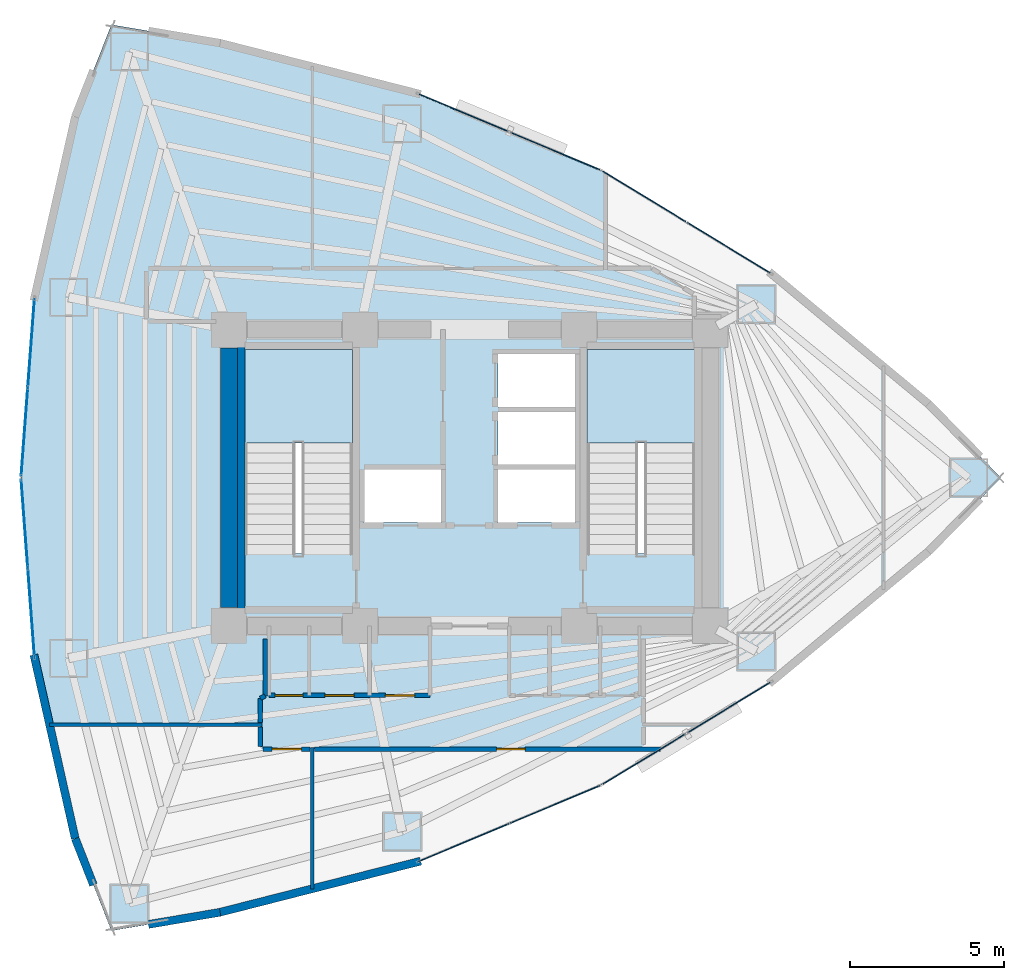
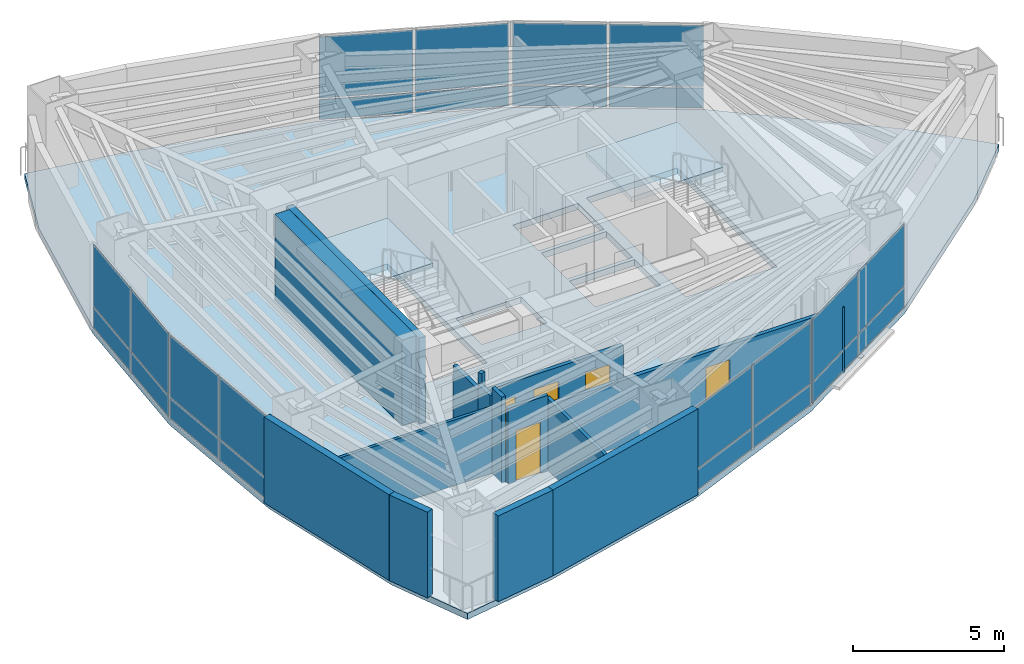
# One storey, part 14 of 18: 24 plates, 15 walls, 5 doors, 3 slabs, 5 openings, 8 elements without a shape of their own.
"""IFC4 building model written with IfcOpenShell, lengths in metres."""

from ifc_helpers import new_model, si_unit, direction, frame, frame_2d, origin, origin_2d, place, context, subcontext, project, spatial, polyline, rectangle, outline, extrude, material, layer, layer_set, type_object, element, fill, aggregate, save


model = new_model("IFC4")

# Units and contexts
model_context = context("Model", 3, precision=1e-05, world=origin(), true_north=direction((0.0, 1.0)))
body_context = subcontext(model_context, "Body", "Model", "MODEL_VIEW")
ifc_project = project(units=[si_unit("LENGTHUNIT", "METRE"), si_unit("AREAUNIT", "SQUARE_METRE"), si_unit("VOLUMEUNIT", "CUBIC_METRE"), si_unit("PLANEANGLEUNIT", "RADIAN"), si_unit("MASSUNIT", "GRAM", prefix="KILO")], contexts=[model_context])

# Site, building, storey
site_placement = place(None, origin())
site = spatial("IfcSite", under=ifc_project, at=site_placement, CompositionType="ELEMENT")
building_placement = place(site_placement, origin())
building = spatial("IfcBuilding", under=site, at=building_placement, Name="Menara Vayukalpa", CompositionType="ELEMENT")
storey_placement = place(building_placement, frame((0.0, 0.0, 130.02001953125)))
storey = spatial("IfcBuildingStorey", under=building, at=storey_placement, Name="L32", CompositionType="ELEMENT", Elevation=130.02001953125)

# Curtain wall, plates
ifc_material_1 = material(Name="Anodised Terracotta Aluminium Alloy 6063-T6", Category="masonry")
ifc_layer_1 = layer(ifc_material_1, 0.14990234375)
ifc_layer_set_1 = layer_set([ifc_layer_1], Name="Anodised Terracotta Aluminium Alloy 6063-T6")
curtain_wall_type = type_object("IfcCurtainWallType", Name="CW-CW3", PredefinedType="USERDEFINED", material=ifc_layer_set_1)
curtain_wall_1_placement = place(storey_placement, origin())
curtain_wall_1 = element("IfcCurtainWall", 1, at=curtain_wall_1_placement, inside=storey, type_object=curtain_wall_type, Name="L32 Mid Rise Terracotta Ribbon Curtain Wall CW3 04", ObjectType="UNITISED", PredefinedType="USERDEFINED")
ifc_material_2 = material(Name="Low-E Double Glazing", Category="glass")
ifc_layer_2 = layer(ifc_material_2, 0.030029296875)
ifc_layer_set_2 = layer_set([ifc_layer_2], Name="Low-E Double Glazing")
plate_type = type_object("IfcPlateType", Name="CWP-CW3", PredefinedType="CURTAIN_PANEL", material=ifc_layer_set_2)
plate_1_placement = place(storey_placement, frame((33.9921875, 29.44873046875, 0.06494140625), z_axis=(0.0, 0.0, 1.0), x_axis=(-0.854663123674, 0.519182959112, 0.0)))
plate_1 = element("IfcPlate", 2, at=plate_1_placement, type_object=plate_type, Name="CW3 panel 1.1", PredefinedType="CURTAIN_PANEL", context=body_context, shape_type="SweptSolid", body=[
    extrude(rectangle(XDim=3.1318359375, YDim=0.030029296875, at=origin_2d()), origin(), (0.0, 0.0, 1.0), 0.802490234375),
])
plate_2_placement = place(storey_placement, frame((33.9921875, 29.44873046875, 0.9326171875), z_axis=(0.0, 0.0, 1.0), x_axis=(-0.854663123674, 0.519182959112, 0.0)))
plate_2 = element("IfcPlate", 3, at=plate_2_placement, type_object=plate_type, Name="CW3 panel 1.2", PredefinedType="CURTAIN_PANEL", context=body_context, shape_type="SweptSolid", body=[
    extrude(rectangle(XDim=3.1318359375, YDim=0.030029296875, at=origin_2d()), origin(), (0.0, 0.0, 1.0), 2.472412109375),
])
plate_3_placement = place(storey_placement, frame((31.259765625, 31.1083984375, 0.06494140625), z_axis=(0.0, 0.0, 1.0), x_axis=(-0.854663123674, 0.519182959112, 0.0)))
plate_3 = element("IfcPlate", 4, at=plate_3_placement, type_object=plate_type, Name="CW3 panel 2.1", PredefinedType="CURTAIN_PANEL", context=body_context, shape_type="SweptSolid", body=[
    extrude(rectangle(XDim=3.1318359375, YDim=0.030029296875, at=origin_2d()), origin(), (0.0, 0.0, 1.0), 0.802490234375),
])
plate_4_placement = place(storey_placement, frame((31.259765625, 31.1083984375, 0.9326171875), z_axis=(0.0, 0.0, 1.0), x_axis=(-0.854663123674, 0.519182959112, 0.0)))
plate_4 = element("IfcPlate", 5, at=plate_4_placement, type_object=plate_type, Name="CW3 panel 2.2", PredefinedType="CURTAIN_PANEL", context=body_context, shape_type="SweptSolid", body=[
    extrude(rectangle(XDim=3.1318359375, YDim=0.030029296875, at=origin_2d()), origin(), (0.0, 0.0, 1.0), 2.472412109375),
])
aggregate(curtain_wall_1, [plate_1, plate_2, plate_3, plate_4])

curtain_wall_2_placement = place(storey_placement, origin())
curtain_wall_2 = element("IfcCurtainWall", 6, at=curtain_wall_2_placement, inside=storey, type_object=curtain_wall_type, Name="L32 Mid Rise Terracotta Ribbon Curtain Wall CW3 05", ObjectType="UNITISED", PredefinedType="USERDEFINED")
plate_5_placement = place(storey_placement, frame((28.361328125, 32.58447265625, 0.06494140625), z_axis=(0.0, 0.0, 1.0), x_axis=(-0.922543300632, 0.38589358437, 0.0)))
plate_5 = element("IfcPlate", 7, at=plate_5_placement, type_object=plate_type, Name="CW3 panel 1.1", PredefinedType="CURTAIN_PANEL", context=body_context, shape_type="SweptSolid", body=[
    extrude(rectangle(XDim=3.1318359375, YDim=0.030029296875, at=origin_2d()), origin(), (0.0, 0.0, 1.0), 0.802490234375),
])
plate_6_placement = place(storey_placement, frame((28.361328125, 32.58447265625, 0.9326171875), z_axis=(0.0, 0.0, 1.0), x_axis=(-0.922543300632, 0.38589358437, 0.0)))
plate_6 = element("IfcPlate", 8, at=plate_6_placement, type_object=plate_type, Name="CW3 panel 1.2", PredefinedType="CURTAIN_PANEL", context=body_context, shape_type="SweptSolid", body=[
    extrude(rectangle(XDim=3.1318359375, YDim=0.030029296875, at=origin_2d()), origin(), (0.0, 0.0, 1.0), 2.472412109375),
])
plate_7_placement = place(storey_placement, frame((25.412109375, 33.818115234375, 0.06494140625), z_axis=(0.0, 0.0, 1.0), x_axis=(-0.922543300632, 0.38589358437, 0.0)))
plate_7 = element("IfcPlate", 9, at=plate_7_placement, type_object=plate_type, Name="CW3 panel 2.1", PredefinedType="CURTAIN_PANEL", context=body_context, shape_type="SweptSolid", body=[
    extrude(rectangle(XDim=3.1318359375, YDim=0.030029296875, at=origin_2d()), origin(), (0.0, 0.0, 1.0), 0.802490234375),
])
plate_8_placement = place(storey_placement, frame((25.412109375, 33.818115234375, 0.9326171875), z_axis=(0.0, 0.0, 1.0), x_axis=(-0.922543300632, 0.38589358437, 0.0)))
plate_8 = element("IfcPlate", 10, at=plate_8_placement, type_object=plate_type, Name="CW3 panel 2.2", PredefinedType="CURTAIN_PANEL", context=body_context, shape_type="SweptSolid", body=[
    extrude(rectangle(XDim=3.1318359375, YDim=0.030029296875, at=origin_2d()), origin(), (0.0, 0.0, 1.0), 2.472412109375),
])
aggregate(curtain_wall_2, [plate_5, plate_6, plate_7, plate_8])

curtain_wall_3_placement = place(storey_placement, origin())
curtain_wall_3 = element("IfcCurtainWall", 11, at=curtain_wall_3_placement, inside=storey, type_object=curtain_wall_type, Name="L32 Mid Rise Terracotta Ribbon Curtain Wall CW3 10", ObjectType="UNITISED", PredefinedType="USERDEFINED")
plate_9_placement = place(storey_placement, frame((11.395751953125, 26.3681640625, 0.06494140625), z_axis=(0.0, 0.0, 1.0), x_axis=(-0.07478528334, -0.997199659745, 0.0)))
plate_9 = element("IfcPlate", 12, at=plate_9_placement, type_object=plate_type, Name="CW3 panel 1.1", PredefinedType="CURTAIN_PANEL", context=body_context, shape_type="SweptSolid", body=[
    extrude(rectangle(XDim=2.83349609375, YDim=0.030029296875, at=origin_2d()), origin(), (0.0, 0.0, 1.0), 0.802490234375),
])
plate_10_placement = place(storey_placement, frame((11.395751953125, 26.3681640625, 0.9326171875), z_axis=(0.0, 0.0, 1.0), x_axis=(-0.07478528334, -0.997199659745, 0.0)))
plate_10 = element("IfcPlate", 13, at=plate_10_placement, type_object=plate_type, Name="CW3 panel 1.2", PredefinedType="CURTAIN_PANEL", context=body_context, shape_type="SweptSolid", body=[
    extrude(rectangle(XDim=2.83349609375, YDim=0.030029296875, at=origin_2d()), origin(), (0.0, 0.0, 1.0), 2.472412109375),
])
plate_11_placement = place(storey_placement, frame((11.178955078125, 23.4775390625, 0.06494140625), z_axis=(0.0, 0.0, 1.0), x_axis=(-0.07478528334, -0.997199659745, 0.0)))
plate_11 = element("IfcPlate", 14, at=plate_11_placement, type_object=plate_type, Name="CW3 panel 2.1", PredefinedType="CURTAIN_PANEL", context=body_context, shape_type="SweptSolid", body=[
    extrude(rectangle(XDim=2.83349609375, YDim=0.030029296875, at=origin_2d()), origin(), (0.0, 0.0, 1.0), 0.802490234375),
])
plate_12_placement = place(storey_placement, frame((11.178955078125, 23.4775390625, 0.9326171875), z_axis=(0.0, 0.0, 1.0), x_axis=(-0.07478528334, -0.997199659745, 0.0)))
plate_12 = element("IfcPlate", 15, at=plate_12_placement, type_object=plate_type, Name="CW3 panel 2.2", PredefinedType="CURTAIN_PANEL", context=body_context, shape_type="SweptSolid", body=[
    extrude(rectangle(XDim=2.83349609375, YDim=0.030029296875, at=origin_2d()), origin(), (0.0, 0.0, 1.0), 2.472412109375),
])
aggregate(curtain_wall_3, [plate_9, plate_10, plate_11, plate_12])

curtain_wall_4_placement = place(storey_placement, origin())
curtain_wall_4 = element("IfcCurtainWall", 16, at=curtain_wall_4_placement, inside=storey, type_object=curtain_wall_type, Name="L32 Mid Rise Terracotta Ribbon Curtain Wall CW3 11", ObjectType="UNITISED", PredefinedType="USERDEFINED")
plate_13_placement = place(storey_placement, frame((11.178955078125, 20.5224609375, 0.06494140625), z_axis=(0.0, 0.0, 1.0), x_axis=(0.07478528334, -0.997199659745, 0.0)))
plate_13 = element("IfcPlate", 17, at=plate_13_placement, type_object=plate_type, Name="CW3 panel 1.1", PredefinedType="CURTAIN_PANEL", context=body_context, shape_type="SweptSolid", body=[
    extrude(rectangle(XDim=2.83349609375, YDim=0.030029296875, at=origin_2d()), origin(), (0.0, 0.0, 1.0), 0.802490234375),
])
plate_14_placement = place(storey_placement, frame((11.178955078125, 20.5224609375, 0.9326171875), z_axis=(0.0, 0.0, 1.0), x_axis=(0.07478528334, -0.997199659745, 0.0)))
plate_14 = element("IfcPlate", 18, at=plate_14_placement, type_object=plate_type, Name="CW3 panel 1.2", PredefinedType="CURTAIN_PANEL", context=body_context, shape_type="SweptSolid", body=[
    extrude(rectangle(XDim=2.83349609375, YDim=0.030029296875, at=origin_2d()), origin(), (0.0, 0.0, 1.0), 2.472412109375),
])
plate_15_placement = place(storey_placement, frame((11.395751953125, 17.6318359375, 0.06494140625), z_axis=(0.0, 0.0, 1.0), x_axis=(0.07478528334, -0.997199659745, 0.0)))
plate_15 = element("IfcPlate", 19, at=plate_15_placement, type_object=plate_type, Name="CW3 panel 2.1", PredefinedType="CURTAIN_PANEL", context=body_context, shape_type="SweptSolid", body=[
    extrude(rectangle(XDim=2.83349609375, YDim=0.030029296875, at=origin_2d()), origin(), (0.0, 0.0, 1.0), 0.802490234375),
])
plate_16_placement = place(storey_placement, frame((11.395751953125, 17.6318359375, 0.9326171875), z_axis=(0.0, 0.0, 1.0), x_axis=(0.07478528334, -0.997199659745, 0.0)))
plate_16 = element("IfcPlate", 20, at=plate_16_placement, type_object=plate_type, Name="CW3 panel 2.2", PredefinedType="CURTAIN_PANEL", context=body_context, shape_type="SweptSolid", body=[
    extrude(rectangle(XDim=2.83349609375, YDim=0.030029296875, at=origin_2d()), origin(), (0.0, 0.0, 1.0), 2.472412109375),
])
aggregate(curtain_wall_4, [plate_13, plate_14, plate_15, plate_16])

curtain_wall_5_placement = place(storey_placement, origin())
curtain_wall_5 = element("IfcCurtainWall", 21, at=curtain_wall_5_placement, inside=storey, type_object=curtain_wall_type, Name="L32 Mid Rise Terracotta Ribbon Curtain Wall CW3 16", ObjectType="UNITISED", PredefinedType="USERDEFINED")
plate_17_placement = place(storey_placement, frame((25.412109375, 10.181884765625, 0.06494140625), z_axis=(0.0, 0.0, 1.0), x_axis=(0.922543300632, 0.38589358437, 0.0)))
plate_17 = element("IfcPlate", 22, at=plate_17_placement, type_object=plate_type, Name="CW3 panel 1.1", PredefinedType="CURTAIN_PANEL", context=body_context, shape_type="SweptSolid", body=[
    extrude(rectangle(XDim=3.1318359375, YDim=0.030029296875, at=origin_2d()), origin(), (0.0, 0.0, 1.0), 0.802490234375),
])
plate_18_placement = place(storey_placement, frame((25.412109375, 10.181884765625, 0.9326171875), z_axis=(0.0, 0.0, 1.0), x_axis=(0.922543300632, 0.38589358437, 0.0)))
plate_18 = element("IfcPlate", 23, at=plate_18_placement, type_object=plate_type, Name="CW3 panel 1.2", PredefinedType="CURTAIN_PANEL", context=body_context, shape_type="SweptSolid", body=[
    extrude(rectangle(XDim=3.1318359375, YDim=0.030029296875, at=origin_2d()), origin(), (0.0, 0.0, 1.0), 2.472412109375),
])
plate_19_placement = place(storey_placement, frame((28.361328125, 11.41552734375, 0.06494140625), z_axis=(0.0, 0.0, 1.0), x_axis=(0.922543300632, 0.38589358437, 0.0)))
plate_19 = element("IfcPlate", 24, at=plate_19_placement, type_object=plate_type, Name="CW3 panel 2.1", PredefinedType="CURTAIN_PANEL", context=body_context, shape_type="SweptSolid", body=[
    extrude(rectangle(XDim=3.1318359375, YDim=0.030029296875, at=origin_2d()), origin(), (0.0, 0.0, 1.0), 0.802490234375),
])
plate_20_placement = place(storey_placement, frame((28.361328125, 11.41552734375, 0.9326171875), z_axis=(0.0, 0.0, 1.0), x_axis=(0.922543300632, 0.38589358437, 0.0)))
plate_20 = element("IfcPlate", 25, at=plate_20_placement, type_object=plate_type, Name="CW3 panel 2.2", PredefinedType="CURTAIN_PANEL", context=body_context, shape_type="SweptSolid", body=[
    extrude(rectangle(XDim=3.1318359375, YDim=0.030029296875, at=origin_2d()), origin(), (0.0, 0.0, 1.0), 2.472412109375),
])
aggregate(curtain_wall_5, [plate_17, plate_18, plate_19, plate_20])

curtain_wall_6_placement = place(storey_placement, origin())
curtain_wall_6 = element("IfcCurtainWall", 26, at=curtain_wall_6_placement, inside=storey, type_object=curtain_wall_type, Name="L32 Mid Rise Terracotta Ribbon Curtain Wall CW3 17", ObjectType="UNITISED", PredefinedType="USERDEFINED")
plate_21_placement = place(storey_placement, frame((31.259765625, 12.8916015625, 0.06494140625), z_axis=(0.0, 0.0, 1.0), x_axis=(0.854663123674, 0.519182959112, 0.0)))
plate_21 = element("IfcPlate", 27, at=plate_21_placement, type_object=plate_type, Name="CW3 panel 1.1", PredefinedType="CURTAIN_PANEL", context=body_context, shape_type="SweptSolid", body=[
    extrude(rectangle(XDim=3.1318359375, YDim=0.030029296875, at=origin_2d()), origin(), (0.0, 0.0, 1.0), 0.802490234375),
])
plate_22_placement = place(storey_placement, frame((31.259765625, 12.8916015625, 0.9326171875), z_axis=(0.0, 0.0, 1.0), x_axis=(0.854663123674, 0.519182959112, 0.0)))
plate_22 = element("IfcPlate", 28, at=plate_22_placement, type_object=plate_type, Name="CW3 panel 1.2", PredefinedType="CURTAIN_PANEL", context=body_context, shape_type="SweptSolid", body=[
    extrude(rectangle(XDim=3.1318359375, YDim=0.030029296875, at=origin_2d()), origin(), (0.0, 0.0, 1.0), 2.472412109375),
])
plate_23_placement = place(storey_placement, frame((33.9921875, 14.55126953125, 0.06494140625), z_axis=(0.0, 0.0, 1.0), x_axis=(0.854663123674, 0.519182959112, 0.0)))
plate_23 = element("IfcPlate", 29, at=plate_23_placement, type_object=plate_type, Name="CW3 panel 2.1", PredefinedType="CURTAIN_PANEL", context=body_context, shape_type="SweptSolid", body=[
    extrude(rectangle(XDim=3.1318359375, YDim=0.030029296875, at=origin_2d()), origin(), (0.0, 0.0, 1.0), 0.802490234375),
])
plate_24_placement = place(storey_placement, frame((33.9921875, 14.55126953125, 0.9326171875), z_axis=(0.0, 0.0, 1.0), x_axis=(0.854663123674, 0.519182959112, 0.0)))
plate_24 = element("IfcPlate", 30, at=plate_24_placement, type_object=plate_type, Name="CW3 panel 2.2", PredefinedType="CURTAIN_PANEL", context=body_context, shape_type="SweptSolid", body=[
    extrude(rectangle(XDim=3.1318359375, YDim=0.030029296875, at=origin_2d()), origin(), (0.0, 0.0, 1.0), 2.472412109375),
])
aggregate(curtain_wall_6, [plate_21, plate_22, plate_23, plate_24])

# Slab
ifc_material_3 = material(Name="Concrete C40/50", Category="concrete")
ifc_layer_3 = layer(ifc_material_3, 0.25)
ifc_layer_set_3 = layer_set([ifc_layer_3], Name="Concrete C40/50")
slab_type_1 = type_object("IfcSlabType", Name="SLB-FL250", PredefinedType="FLOOR", material=ifc_layer_set_3)
slab_1_placement = place(storey_placement, frame((0.0, 0.0, -0.25)))
element("IfcSlab", 31, at=slab_1_placement, inside=storey, type_object=slab_type_1, Name="L32 Structural Floor Slab", PredefinedType="FLOOR", context=body_context, shape_type="SweptSolid", body=[
    extrude(outline(polyline([(40.4677734375, 19.6123046875), (42.81201171875, 22.0), (40.4677734375, 24.3876953125), (35.385986328125, 28.601806640625), (29.865966796875, 31.955078125), (23.907470703125, 34.447509765625), (17.510498046875, 36.0791015625), (13.993896484375, 36.676025390625), (12.822021484375, 33.69140625), (11.506591796875, 27.845703125), (11.068115234375, 22.0), (11.506591796875, 16.154296875), (12.822021484375, 10.30859375), (13.993896484375, 7.323974609375), (17.510498046875, 7.9208984375), (23.907470703125, 9.552490234375), (29.865966796875, 12.044921875), (35.385986328125, 15.398193359375), (40.4677734375, 19.6123046875)]), holes=[polyline([(21.800048828125, 19.550048828125), (21.800048828125, 26.14990234375), (18.300048828125, 26.14990234375), (18.300048828125, 19.550048828125), (21.800048828125, 19.550048828125)]), polyline([(32.89990234375, 19.550048828125), (32.89990234375, 26.14990234375), (29.39990234375, 26.14990234375), (29.39990234375, 19.550048828125), (32.89990234375, 19.550048828125)]), polyline([(22.179931640625, 20.550048828125), (24.679931640625, 20.550048828125), (24.679931640625, 22.27001953125), (22.179931640625, 22.27001953125), (22.179931640625, 20.550048828125)]), polyline([(26.52001953125, 20.550048828125), (29.02001953125, 20.550048828125), (29.02001953125, 22.27001953125), (26.52001953125, 22.27001953125), (26.52001953125, 20.550048828125)]), polyline([(26.52001953125, 24.2900390625), (29.02001953125, 24.2900390625), (29.02001953125, 26.010009765625), (26.52001953125, 26.010009765625), (26.52001953125, 24.2900390625)]), polyline([(26.52001953125, 22.419921875), (29.02001953125, 22.419921875), (29.02001953125, 24.139892578125), (26.52001953125, 24.139892578125), (26.52001953125, 22.419921875)])]), origin(), (0.0, 0.0, 1.0), 0.25),
])

# Stair, slab
ifc_material_4 = material(Name="Precast Concrete C40/50", Category="concrete")
stair_type = type_object("IfcStairType", Name="STR-T04", PredefinedType="DOUBLE_RETURN_STAIR", material=ifc_material_4)
stair_1_placement = place(storey_placement, origin())
stair_1 = element("IfcStair", 32, at=stair_1_placement, inside=storey, type_object=stair_type, Name="L32 Core Exit Stair ST-1", PredefinedType="DOUBLE_RETURN_STAIR")
ifc_material_5 = material(Name="Precast Concrete C40/50", Category="concrete")
ifc_layer_4 = layer(ifc_material_5, 0.199951171875)
ifc_layer_set_4 = layer_set([ifc_layer_4], Name="Precast Concrete C40/50")
slab_type_2 = type_object("IfcSlabType", Name="SLB-LND200", PredefinedType="LANDING", material=ifc_layer_set_4)
slab_2_placement = place(storey_placement, frame((0.0, 0.0, 1.659912109375)))
slab_2 = element("IfcSlab", 33, at=slab_2_placement, type_object=slab_type_2, Name="ST-1 landing 1", PredefinedType="LANDING", context=body_context, shape_type="SweptSolid", body=[
    extrude(outline(polyline([(21.800048828125, 23.1298828125), (21.800048828125, 26.14990234375), (18.300048828125, 26.14990234375), (18.300048828125, 23.1298828125), (21.800048828125, 23.1298828125)])), origin(), (0.0, 0.0, 1.0), 0.199951171875),
])
aggregate(stair_1, [slab_2])

stair_2_placement = place(storey_placement, origin())
stair_2 = element("IfcStair", 34, at=stair_2_placement, inside=storey, type_object=stair_type, Name="L32 Core Exit Stair ST-2", PredefinedType="DOUBLE_RETURN_STAIR")
slab_3_placement = place(storey_placement, frame((0.0, 0.0, 1.659912109375)))
slab_3 = element("IfcSlab", 35, at=slab_3_placement, type_object=slab_type_2, Name="ST-2 landing 1", PredefinedType="LANDING", context=body_context, shape_type="SweptSolid", body=[
    extrude(outline(polyline([(32.89990234375, 23.1298828125), (32.89990234375, 26.14990234375), (29.39990234375, 26.14990234375), (29.39990234375, 23.1298828125), (32.89990234375, 23.1298828125)])), origin(), (0.0, 0.0, 1.0), 0.199951171875),
])
aggregate(stair_2, [slab_3])

# Walls
ifc_material_6 = material(Name="Concrete C60/75", Category="concrete")
ifc_layer_5 = layer(ifc_material_6, 0.550048828125)
ifc_layer_set_5 = layer_set([ifc_layer_5], Name="Concrete C60/75")
wall_type_1 = type_object("IfcWallType", Name="WAL-CW550", PredefinedType="SHEAR", material=ifc_layer_set_5)
wall_1_placement = place(storey_placement, frame((17.800048828125, 17.794921875, 0.0), z_axis=(0.0, 0.0, 1.0), x_axis=(0.0, 1.0, 0.0)))
element("IfcWall", 36, at=wall_1_placement, inside=storey, type_object=wall_type_1, Name="L32 Buttressed Core Shear Wall CWW1", PredefinedType="SHEAR", context=body_context, shape_type="SweptSolid", body=[
    extrude(rectangle(XDim=8.41015625, YDim=0.550048828125, at=frame_2d((4.205078125, 0.0))), origin(), (0.0, 0.0, 1.0), 3.469970703125),
])
ifc_material_7 = material(Name="Insulated Precast Concrete C40/50", Category="concrete")
ifc_layer_6 = layer(ifc_material_7, 0.260009765625)
ifc_layer_set_6 = layer_set([ifc_layer_6], Name="Insulated Precast Concrete C40/50")
wall_type_2 = type_object("IfcWallType", Name="WAL-EXT260", PredefinedType="PARTITIONING", material=ifc_layer_set_6)
wall_2_placement = place(storey_placement, frame((12.822021484375, 10.30859375, 0.0), z_axis=(0.0, 0.0, 1.0), x_axis=(-0.219535044336, 0.975604614743, 0.0)))
element("IfcWall", 37, at=wall_2_placement, inside=storey, type_object=wall_type_2, Name="L32 Perimeter Terracotta Pier Wall 12", PredefinedType="PARTITIONING", context=body_context, shape_type="SweptSolid", body=[
    extrude(rectangle(XDim=6.10205078125, YDim=0.260009765625, at=frame_2d((3.051025390625, 0.0))), origin(), (0.0, 0.0, 1.0), 3.469970703125),
])
wall_3_placement = place(storey_placement, frame((13.411865234375, 8.806396484375, 0.0), z_axis=(0.0, 0.0, 1.0), x_axis=(-0.365488551504, 0.930815835018, 0.0)))
element("IfcWall", 38, at=wall_3_placement, inside=storey, type_object=wall_type_2, Name="L32 Perimeter Terracotta Pier Wall 13", PredefinedType="PARTITIONING", context=body_context, shape_type="SweptSolid", body=[
    extrude(rectangle(XDim=1.61376953125, YDim=0.260009765625, at=frame_2d((0.806884765625, 0.0))), origin(), (0.0, 0.0, 1.0), 3.469970703125),
])
wall_4_placement = place(storey_placement, frame((17.516357421875, 7.921875, 0.0), z_axis=(0.0, 0.0, 1.0), x_axis=(-0.985905269947, -0.167304508875, 0.0)))
element("IfcWall", 39, at=wall_4_placement, inside=storey, type_object=wall_type_2, Name="L32 Perimeter Terracotta Pier Wall 14", PredefinedType="PARTITIONING", context=body_context, shape_type="SweptSolid", body=[
    extrude(rectangle(XDim=2.356689453125, YDim=0.260009765625, at=frame_2d((1.17822265625, 0.0))), origin(), (0.0, 0.0, 1.0), 3.469970703125),
])
wall_5_placement = place(storey_placement, frame((24.013916015625, 9.57958984375, 0.0), z_axis=(0.0, 0.0, 1.0), x_axis=(-0.968981437296, -0.247133514876, 0.0)))
element("IfcWall", 40, at=wall_5_placement, inside=storey, type_object=wall_type_2, Name="L32 Perimeter Terracotta Pier Wall 15", PredefinedType="PARTITIONING", context=body_context, shape_type="SweptSolid", body=[
    extrude(rectangle(XDim=6.717529296875, YDim=0.260009765625, at=frame_2d((3.35888671875, 0.0))), origin(), (0.0, 0.0, 1.0), 3.469970703125),
])
ifc_material_8 = material(Name="Acoustic Mineral Stud Partition", Category="masonry")
ifc_layer_7 = layer(ifc_material_8, 0.110107421875)
ifc_layer_set_7 = layer_set([ifc_layer_7], Name="Acoustic Mineral Stud Partition")
wall_type_3 = type_object("IfcWallType", Name="WAL-PT110", PredefinedType="PARTITIONING", material=ifc_layer_set_7)
wall_6_placement = place(storey_placement, frame((11.981201171875, 14.0, 0.0), z_axis=(0.0, 0.0, 1.0), x_axis=(1.0, 0.0, 0.0)))
element("IfcWall", 41, at=wall_6_placement, inside=storey, type_object=wall_type_3, Name="L32 Interior Partition IW-L32-RDIV05", PredefinedType="PARTITIONING", context=body_context, shape_type="SweptSolid", body=[
    extrude(rectangle(XDim=6.888916015625, YDim=0.110107421875, at=frame_2d((3.4443359375, 0.0))), origin(), (0.0, 0.0, 1.0), 2.64990234375),
])
ifc_material_9 = material(Name="Gypsum Drywall Steel Stud Assembly", Category="steel")
ifc_layer_8 = layer(ifc_material_9, 0.125)
ifc_layer_set_8 = layer_set([ifc_layer_8], Name="Gypsum Drywall Steel Stud Assembly")
wall_type_4 = type_object("IfcWallType", Name="WAL-PT125", PredefinedType="PARTITIONING", material=ifc_layer_set_8)
wall_7_placement = place(storey_placement, frame((20.5, 8.673095703125, 0.0), z_axis=(0.0, 0.0, 1.0), x_axis=(0.0, 1.0, 0.0)))
element("IfcWall", 42, at=wall_7_placement, inside=storey, type_object=wall_type_4, Name="L32 Interior Partition IW-L32-RDIV01", PredefinedType="PARTITIONING", context=body_context, shape_type="SweptSolid", body=[
    extrude(rectangle(XDim=4.5869140625, YDim=0.125, at=frame_2d((2.29345703125, 0.0))), origin(), (0.0, 0.0, 1.0), 2.89990234375),
])

# Wall, openings, doors
ifc_material_10 = material(Name="Gypsum Drywall Acoustic Stud Assembly", Category="masonry")
ifc_layer_9 = layer(ifc_material_10, 0.14501953125)
ifc_layer_set_9 = layer_set([ifc_layer_9], Name="Gypsum Drywall Acoustic Stud Assembly")
wall_type_5 = type_object("IfcWallType", Name="WAL-PT150", PredefinedType="PARTITIONING", material=ifc_layer_set_9)
wall_8_placement = place(storey_placement, frame((19.10009765625, 14.949951171875, 0.0), z_axis=(0.0, 0.0, 1.0), x_axis=(1.0, 0.0, 0.0)))
wall_8 = element("IfcWall", 43, at=wall_8_placement, inside=storey, type_object=wall_type_5, Name="L32 Interior Partition IW-L32-SVCS-W", PredefinedType="PARTITIONING", context=body_context, shape_type="SweptSolid", body=[
    extrude(rectangle(XDim=5.219970703125, YDim=0.14501953125, at=frame_2d((2.60986328125, 0.0))), origin(), (0.0, 0.0, 1.0), 2.64990234375),
])
opening_1_placement = place(wall_8_placement, frame((0.199951171875, 0.0, 0.0)))
opening_1 = element("IfcOpeningElement", 44, at=opening_1_placement, cuts=wall_8, Name="Opening ID7", PredefinedType="OPENING", context=body_context, shape_type="SweptSolid", body=[
    extrude(rectangle(XDim=0.89990234375, YDim=2.02001953125, at=frame_2d((0.449951171875, 1.010009765625))), frame((0.0, 0.08251953125, 0.0), z_axis=(0.0, -1.0, 0.0), x_axis=(1.0, 0.0, 0.0)), (0.0, 0.0, 1.0), 0.1650390625),
])
opening_2_placement = place(wall_8_placement, frame((1.804931640625, 0.0, 0.0)))
opening_2 = element("IfcOpeningElement", 45, at=opening_2_placement, cuts=wall_8, Name="Opening ID5", PredefinedType="OPENING", context=body_context, shape_type="SweptSolid", body=[
    extrude(rectangle(XDim=0.949951171875, YDim=2.06005859375, at=frame_2d((0.47509765625, 1.030029296875))), frame((0.0, 0.08251953125, 0.0), z_axis=(0.0, -1.0, 0.0), x_axis=(1.0, 0.0, 0.0)), (0.0, 0.0, 1.0), 0.1650390625),
])
opening_3_placement = place(wall_8_placement, frame((3.764892578125, 0.0, 0.0)))
opening_3 = element("IfcOpeningElement", 46, at=opening_3_placement, cuts=wall_8, Name="Opening ID5", PredefinedType="OPENING", context=body_context, shape_type="SweptSolid", body=[
    extrude(rectangle(XDim=0.949951171875, YDim=2.06005859375, at=frame_2d((0.47509765625, 1.030029296875))), frame((0.0, 0.08251953125, 0.0), z_axis=(0.0, -1.0, 0.0), x_axis=(1.0, 0.0, 0.0)), (0.0, 0.0, 1.0), 0.1650390625),
])
ifc_material_11 = material(Name="Acoustic Hardwood Veneer Timber Door", Category="wood")
door_type_1 = type_object("IfcDoorType", Name="DR-INT95", OperationType="NOTDEFINED", PredefinedType="DOOR", material=ifc_material_11)
door_1_placement = place(opening_2_placement, origin())
door_1 = element("IfcDoor", 47, at=door_1_placement, inside=storey, type_object=door_type_1, Name="L32 Interior Door DR-L32-AWC", OperationType="SINGLE_SWING_LEFT", OverallHeight=2.06005859375, OverallWidth=0.949951171875, PredefinedType="DOOR", context=body_context, shape_type="SweptSolid", body=[
    extrude(rectangle(XDim=0.949951171875, YDim=2.06005859375, at=frame_2d((0.47509765625, 1.030029296875))), frame((0.0, 0.02490234375, 0.0), z_axis=(0.0, -1.0, 0.0), x_axis=(1.0, 0.0, 0.0)), (0.0, 0.0, 1.0), 0.050048828125),
])
fill(opening_2, door_1)
door_2_placement = place(opening_3_placement, origin())
door_2 = element("IfcDoor", 48, at=door_2_placement, inside=storey, type_object=door_type_1, Name="L32 Interior Door DR-L32-SWC", OperationType="SINGLE_SWING_RIGHT", OverallHeight=2.06005859375, OverallWidth=0.949951171875, PredefinedType="DOOR", context=body_context, shape_type="SweptSolid", body=[
    extrude(rectangle(XDim=0.949951171875, YDim=2.06005859375, at=frame_2d((0.47509765625, 1.030029296875))), frame((0.0, 0.02490234375, 0.0), z_axis=(0.0, -1.0, 0.0), x_axis=(1.0, 0.0, 0.0)), (0.0, 0.0, 1.0), 0.050048828125),
])
fill(opening_3, door_2)
ifc_material_12 = material(Name="Powder-Coated Steel Riser Access Door", Category="steel")
door_type_2 = type_object("IfcDoorType", Name="DR-RISER", OperationType="NOTDEFINED", PredefinedType="DOOR", material=ifc_material_12)
door_3_placement = place(opening_1_placement, origin())
door_3 = element("IfcDoor", 49, at=door_3_placement, inside=storey, type_object=door_type_2, Name="L32 Interior Door DR-L32-ELR", OperationType="SINGLE_SWING_RIGHT", OverallHeight=2.02001953125, OverallWidth=0.89990234375, PredefinedType="DOOR", context=body_context, shape_type="SweptSolid", body=[
    extrude(rectangle(XDim=0.89990234375, YDim=2.02001953125, at=frame_2d((0.449951171875, 1.010009765625))), frame((0.0, 0.02490234375, 0.0), z_axis=(0.0, -1.0, 0.0), x_axis=(1.0, 0.0, 0.0)), (0.0, 0.0, 1.0), 0.050048828125),
])
fill(opening_1, door_3)

# Wall
wall_9_placement = place(storey_placement, frame((18.820068359375, 13.929931640625, 0.0), z_axis=(0.0, 0.0, 1.0), x_axis=(0.0, -1.0, 0.0)))
element("IfcWall", 50, at=wall_9_placement, inside=storey, type_object=wall_type_5, Name="L32 Interior Partition IW-L32-CRM01-1", PredefinedType="PARTITIONING", context=body_context, shape_type="SweptSolid", body=[
    extrude(rectangle(XDim=0.639892578125, YDim=0.14501953125, at=frame_2d((0.31982421875, 0.0))), origin(), (0.0, 0.0, 1.0), 3.469970703125),
])

# Wall, opening, door
wall_10_placement = place(storey_placement, frame((18.89990234375, 13.2099609375, 0.0), z_axis=(0.0, 0.0, 1.0), x_axis=(1.0, 0.0, 0.0)))
wall_10 = element("IfcWall", 51, at=wall_10_placement, inside=storey, type_object=wall_type_5, Name="L32 Interior Partition IW-L32-CRM01-2", PredefinedType="PARTITIONING", context=body_context, shape_type="SweptSolid", body=[
    extrude(rectangle(XDim=1.530029296875, YDim=0.14501953125, at=frame_2d((0.76513671875, 0.0))), origin(), (0.0, 0.0, 1.0), 3.050048828125),
])
opening_4_placement = place(wall_10_placement, frame((0.300048828125, 0.0, 0.0)))
opening_4 = element("IfcOpeningElement", 52, at=opening_4_placement, cuts=wall_10, Name="Opening ID5", PredefinedType="OPENING", context=body_context, shape_type="SweptSolid", body=[
    extrude(rectangle(XDim=0.949951171875, YDim=2.06005859375, at=frame_2d((0.47509765625, 1.030029296875))), frame((0.0, 0.08251953125, 0.0), z_axis=(0.0, -1.0, 0.0), x_axis=(1.0, 0.0, 0.0)), (0.0, 0.0, 1.0), 0.1650390625),
])
door_4_placement = place(opening_4_placement, origin())
door_4 = element("IfcDoor", 53, at=door_4_placement, inside=storey, type_object=door_type_1, Name="L32 Interior Door DR-L32-RM01", OperationType="SINGLE_SWING_RIGHT", OverallHeight=2.06005859375, OverallWidth=0.949951171875, PredefinedType="DOOR", context=body_context, shape_type="SweptSolid", body=[
    extrude(rectangle(XDim=0.949951171875, YDim=2.06005859375, at=frame_2d((0.47509765625, 1.030029296875))), frame((0.0, 0.02490234375, 0.0), z_axis=(0.0, -1.0, 0.0), x_axis=(1.0, 0.0, 0.0)), (0.0, 0.0, 1.0), 0.050048828125),
])
fill(opening_4, door_4)

wall_11_placement = place(storey_placement, frame((20.570068359375, 13.2099609375, 0.0), z_axis=(0.0, 0.0, 1.0), x_axis=(1.0, 0.0, 0.0)))
wall_11 = element("IfcWall", 54, at=wall_11_placement, inside=storey, type_object=wall_type_5, Name="L32 Interior Partition IW-L32-CRM02-1", PredefinedType="PARTITIONING", context=body_context, shape_type="SweptSolid", body=[
    extrude(rectangle(XDim=11.2138671875, YDim=0.14501953125, at=frame_2d((5.60693359375, 0.0))), origin(), (0.0, 0.0, 1.0), 2.64990234375),
])
opening_5_placement = place(wall_11_placement, frame((5.904296875, 0.0, 0.0)))
opening_5 = element("IfcOpeningElement", 55, at=opening_5_placement, cuts=wall_11, Name="Opening ID6", PredefinedType="OPENING", context=body_context, shape_type="SweptSolid", body=[
    extrude(rectangle(XDim=0.919921875, YDim=2.050048828125, at=frame_2d((0.4599609375, 1.02490234375))), frame((0.0, 0.08251953125, 0.0), z_axis=(0.0, -1.0, 0.0), x_axis=(1.0, 0.0, 0.0)), (0.0, 0.0, 1.0), 0.1650390625),
])
ifc_material_13 = material(Name="Acoustic Hardwood Veneer Timber Door", Category="wood")
door_type_3 = type_object("IfcDoorType", Name="DR-INT92", OperationType="NOTDEFINED", PredefinedType="DOOR", material=ifc_material_13)
door_5_placement = place(opening_5_placement, origin())
door_5 = element("IfcDoor", 56, at=door_5_placement, inside=storey, type_object=door_type_3, Name="L32 Interior Door DR-L32-RM02", OperationType="SINGLE_SWING_LEFT", OverallHeight=2.050048828125, OverallWidth=0.919921875, PredefinedType="DOOR", context=body_context, shape_type="SweptSolid", body=[
    extrude(rectangle(XDim=0.919921875, YDim=2.050048828125, at=frame_2d((0.4599609375, 1.02490234375))), frame((0.0, 0.02490234375, 0.0), z_axis=(0.0, -1.0, 0.0), x_axis=(1.0, 0.0, 0.0)), (0.0, 0.0, 1.0), 0.050048828125),
])
fill(opening_5, door_5)

# Walls
wall_12_placement = place(storey_placement, frame((18.97998046875, 16.780029296875, 0.0), z_axis=(0.0, 0.0, 1.0), x_axis=(0.0, -1.0, 0.0)))
element("IfcWall", 57, at=wall_12_placement, inside=storey, type_object=wall_type_5, Name="L32 Interior Partition IW-L32-CRM06-4", PredefinedType="PARTITIONING", context=body_context, shape_type="SweptSolid", body=[
    extrude(rectangle(XDim=1.85009765625, YDim=0.14501953125, at=frame_2d((0.925048828125, 0.0))), origin(), (0.0, 0.0, 1.0), 2.60009765625),
])
wall_13_placement = place(storey_placement, frame((18.820068359375, 14.85009765625, 0.0), z_axis=(0.0, 0.0, 1.0), x_axis=(0.0, -1.0, 0.0)))
element("IfcWall", 58, at=wall_13_placement, inside=storey, type_object=wall_type_5, Name="L32 Interior Partition IW-L32-CRM06-5", PredefinedType="PARTITIONING", context=body_context, shape_type="SweptSolid", body=[
    extrude(rectangle(XDim=0.780029296875, YDim=0.14501953125, at=frame_2d((0.39013671875, 0.0))), origin(), (0.0, 0.0, 1.0), 3.050048828125),
])
wall_14_placement = place(storey_placement, frame((18.820068359375, 14.85009765625, 0.0), z_axis=(0.0, 0.0, 1.0), x_axis=(0.89470021502, 0.446667130247, 0.0)))
element("IfcWall", 59, at=wall_14_placement, inside=storey, type_object=wall_type_5, Name="L32 Interior Partition IW-L32-CRM06-5-R0", PredefinedType="PARTITIONING", context=body_context, shape_type="SweptSolid", body=[
    extrude(rectangle(XDim=0.1787109375, YDim=0.14501953125, at=frame_2d((0.08935546875, 0.0))), origin(), (0.0, 0.0, 1.0), 3.469970703125),
])
ifc_material_14 = material(Name="Concrete C50/60", Category="concrete")
ifc_layer_10 = layer(ifc_material_14, 0.25)
ifc_layer_set_10 = layer_set([ifc_layer_10], Name="Concrete C50/60")
wall_type_6 = type_object("IfcWallType", Name="WAL-SW250", PredefinedType="SHEAR", material=ifc_layer_set_10)
wall_15_placement = place(storey_placement, frame((18.2041015625, 17.60009765625, 0.0), z_axis=(0.0, 0.0, 1.0), x_axis=(0.0, 1.0, 0.0)))
element("IfcWall", 60, at=wall_15_placement, inside=storey, type_object=wall_type_6, Name="L32 ST1 Structural Stair Shaft Wall W", PredefinedType="SHEAR", context=body_context, shape_type="SweptSolid", body=[
    extrude(rectangle(XDim=8.7998046875, YDim=0.25, at=frame_2d((4.39990234375, 0.0))), origin(), (0.0, 0.0, 1.0), 3.469970703125),
])

save(model, "model.ifc")
